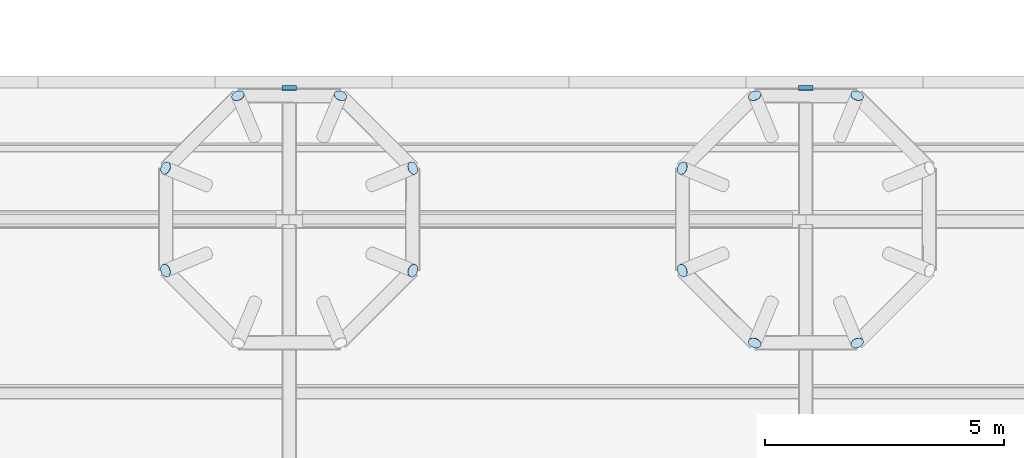
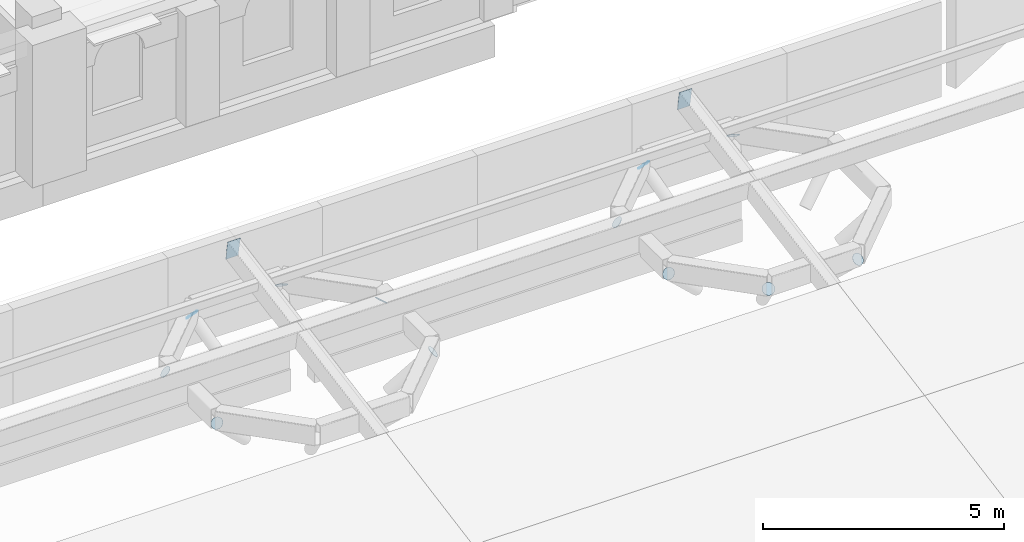
# One storey, part 20 of 32: 14 plates.
"""IFC4 building model written with IfcOpenShell, lengths in metres."""

from ifc_helpers import new_model, si_unit, direction, frame, origin, origin_2d, place, context, subcontext, project, spatial, rectangle, circle, extrude, material, material_profile, profile_set, type_object, element, save


model = new_model("IFC4")

# Units and contexts
model_context = context("Model", 3, precision=1e-05, world=origin(), true_north=direction((0.0, 1.0)))
body_context = subcontext(model_context, "Body", "Model", "MODEL_VIEW")
ifc_project = project(units=[si_unit("LENGTHUNIT", "METRE"), si_unit("AREAUNIT", "SQUARE_METRE"), si_unit("VOLUMEUNIT", "CUBIC_METRE"), si_unit("PLANEANGLEUNIT", "RADIAN"), si_unit("MASSUNIT", "GRAM", prefix="KILO")], contexts=[model_context])

# Site, building, storey
site_placement = place(None, origin())
site = spatial("IfcSite", under=ifc_project, at=site_placement, CompositionType="ELEMENT")
building_placement = place(site_placement, origin())
building = spatial("IfcBuilding", under=site, at=building_placement, Name="Magnolia Steps Interchange", CompositionType="ELEMENT")
storey_placement = place(building_placement, frame((0.0, 0.0, 16.5)))
storey = spatial("IfcBuildingStorey", under=building, at=storey_placement, Name="L04", CompositionType="ELEMENT", Elevation=16.5)

# Plates
ifc_material_1 = material(Name="Steel Q355B", Category="steel")
ifc_material_profile_1 = material_profile(ifc_material_1, circle(Radius=0.136474609375, at=origin_2d()), Name="End plate CHS273x14")
ifc_profile_set_1 = profile_set([ifc_material_profile_1], Name="Steel Q355B")
plate_type_1 = type_object("IfcPlateType", Name="End plate CHS273x14", PredefinedType="SHEET", material=ifc_profile_set_1)
for number, where, z_axis, x_axis, name in (
    (1, (98.97998046875, 86.668701171875, 1.401123046875), (0.664583318381, 0.275279424158, 0.694658370398), (-0.382683432789, 0.923879532336, 0.0), "End plate Tree rib"),
    (2, (97.46875, 88.179931640625, 1.401123046875), (0.275279424158, 0.664583318381, 0.694658370398), (-0.923879532336, 0.382683432789, 0.0), "End plate Tree rib"),
    (3, (95.331298828125, 88.179931640625, 1.401123046875), (-0.275279424158, 0.664583318381, 0.694658370398), (-0.923879532336, -0.382683432789, 0.0), "End plate Tree rib"),
    (4, (93.820068359375, 86.668701171875, 1.401123046875), (-0.664583318381, 0.275279424158, 0.694658370398), (-0.382683432789, -0.923879532336, 0.0), "End plate Tree rib"),
    (5, (93.820068359375, 84.53125, 1.401123046875), (-0.664583318381, -0.275279424158, 0.694658370398), (0.382683432789, -0.923879532336, 0.0), "End plate Tree rib"),
    (6, (98.97998046875, 84.53125, 1.401123046875), (0.664583318381, -0.275279424158, 0.694658370398), (0.382683432789, 0.923879532336, 0.0), "End plate Tree rib"),
    (7, (108.268798828125, 88.179931640625, 1.401123046875), (0.275279424158, 0.664583318381, 0.694658370398), (-0.923879532336, 0.382683432789, 0.0), "End plate Tree rib"),
    (8, (106.13134765625, 88.179931640625, 1.401123046875), (-0.275279424158, 0.664583318381, 0.694658370398), (-0.923879532336, -0.382683432789, 0.0), "End plate Tree rib"),
    (9, (104.6201171875, 86.668701171875, 1.401123046875), (-0.664583318381, 0.275279424158, 0.694658370398), (-0.382683432789, -0.923879532336, 0.0), "End plate Tree rib"),
    (10, (104.6201171875, 84.53125, 1.401123046875), (-0.664583318381, -0.275279424158, 0.694658370398), (0.382683432789, -0.923879532336, 0.0), "End plate Tree rib"),
    (11, (106.13134765625, 83.02001953125, 1.401123046875), (-0.275279424158, -0.664583318381, 0.694658370398), (0.923879532336, -0.382683432789, 0.0), "End plate Tree rib"),
    (12, (108.268798828125, 83.02001953125, 1.401123046875), (0.275279424158, -0.664583318381, 0.694658370398), (0.923879532336, 0.382683432789, 0.0), "End plate Tree rib"),
):
    element("IfcPlate", number, at=place(storey_placement, frame(where, z_axis=z_axis, x_axis=x_axis)), inside=storey, type_object=plate_type_1, Name=name, PredefinedType="SHEET", context=body_context, shape_type="SweptSolid", body=[
        extrude(circle(Radius=0.136474609375, at=origin_2d()), origin(), (0.0, 0.0, 1.0), 0.008056640625),
    ])
ifc_material_2 = material(Name="Steel Q355B", Category="steel")
ifc_material_profile_2 = material_profile(ifc_material_2, rectangle(XDim=0.300048828125, YDim=0.5, at=origin_2d()), Name="End plate RHS500x300x16")
ifc_profile_set_2 = profile_set([ifc_material_profile_2], Name="Steel Q355B")
plate_type_2 = type_object("IfcPlateType", Name="End plate RHS500x300x16", PredefinedType="SHEET", material=ifc_profile_set_2)
for number, where, z_axis, x_axis, name in (
    (13, (96.39990234375, 88.340087890625, 2.5966796875), (0.0, 0.983682817222, 0.179911409041), (-1.0, 0.0, 0.0), "End plate Roof beam"),
    (14, (107.199951171875, 88.340087890625, 2.5966796875), (0.0, 0.983682817222, 0.179911409041), (-1.0, 0.0, 0.0), "End plate Roof beam"),
):
    element("IfcPlate", number, at=place(storey_placement, frame(where, z_axis=z_axis, x_axis=x_axis)), inside=storey, type_object=plate_type_2, Name=name, PredefinedType="SHEET", context=body_context, shape_type="SweptSolid", body=[
        extrude(rectangle(XDim=0.300048828125, YDim=0.5, at=origin_2d()), origin(), (0.0, 0.0, 1.0), 0.008056640625),
    ])

save(model, "model.ifc")
